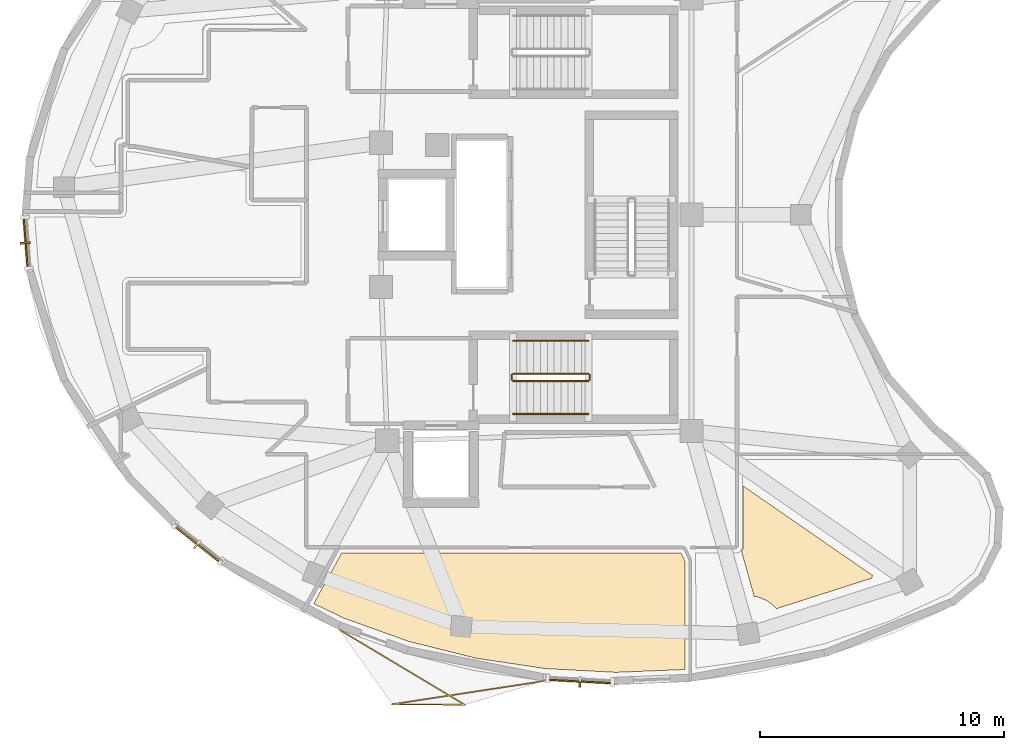
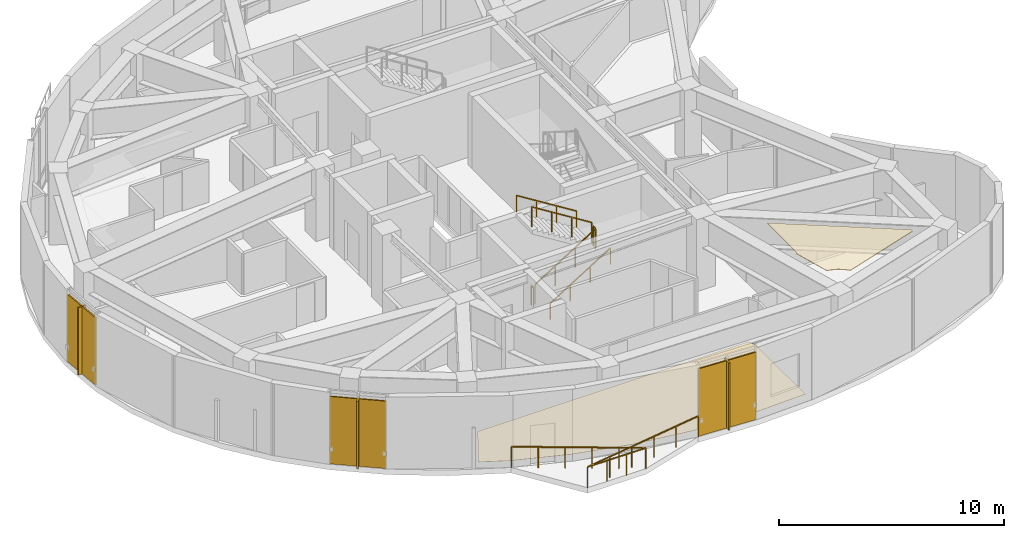
# One storey, part 10 of 12: 7 railings, 6 shading devices, 2 coverings.
"""IFC4 building model written with IfcOpenShell, lengths in metres."""

from ifc_helpers import new_model, si_unit, direction, frame, origin, origin_2d, place, context, subcontext, project, spatial, polyline, rectangle, outline, extrude, material, layer, layer_set, type_object, element, save


model = new_model("IFC4")

# Units and contexts
model_context = context("Model", 3, precision=1e-05, world=origin(), true_north=direction((0.0, 1.0)))
body_context = subcontext(model_context, "Body", "Model", "MODEL_VIEW")
ifc_project = project(units=[si_unit("LENGTHUNIT", "METRE"), si_unit("AREAUNIT", "SQUARE_METRE"), si_unit("VOLUMEUNIT", "CUBIC_METRE"), si_unit("PLANEANGLEUNIT", "RADIAN"), si_unit("MASSUNIT", "GRAM", prefix="KILO")], contexts=[model_context])

# Site, building, storey
site_placement = place(None, origin())
site = spatial("IfcSite", under=ifc_project, at=site_placement, CompositionType="ELEMENT")
building_placement = place(site_placement, origin())
building = spatial("IfcBuilding", under=site, at=building_placement, Name="Korentha Bioscience Tower", CompositionType="ELEMENT")
storey_placement = place(building_placement, frame((0.0, 0.0, 297.60009765625)))
storey = spatial("IfcBuildingStorey", under=building, at=storey_placement, Name="L68", CompositionType="ELEMENT", Elevation=297.60009765625)

# Railings
ifc_material_1 = material(Name="Stainless Steel 304", Category="steel")
railing_type_1 = type_object("IfcRailingType", Name="Brushed Stainless Stair Handrail 900", PredefinedType="HANDRAIL", material=ifc_material_1)
railing_1_placement = place(storey_placement, frame((30.25, 18.85009765625, 0.1748046875)))
element("IfcRailing", 1, at=railing_1_placement, inside=storey, type_object=railing_type_1, Name="L68 ST-2 stair handrail 1", PredefinedType="HANDRAIL", context=body_context, shape_type="SweptSolid", body=[
    extrude(rectangle(XDim=0.048095703125, YDim=0.048095703125, at=origin_2d()), frame((0.0, 0.0, 0.8759765625), z_axis=(0.847998304005, 0.0, 0.529998940003), x_axis=(0.0, 1.0, 0.0)), (0.0, 0.0, 1.0), 3.632080078125),
    extrude(rectangle(XDim=0.0419921875, YDim=0.0419921875, at=origin_2d()), origin(), (0.0, 0.0, 1.0), 0.851806640625),
    extrude(rectangle(XDim=0.0419921875, YDim=0.0419921875, at=origin_2d()), frame((1.026611328125, 0.0, 0.6416015625)), (0.0, 0.0, 1.0), 0.851806640625),
    extrude(rectangle(XDim=0.0419921875, YDim=0.0419921875, at=origin_2d()), frame((2.053466796875, 0.0, 1.283447265625)), (0.0, 0.0, 1.0), 0.851806640625),
    extrude(rectangle(XDim=0.0419921875, YDim=0.0419921875, at=origin_2d()), frame((3.080078125, 0.0, 1.925048828125)), (0.0, 0.0, 1.0), 0.851806640625),
])
railing_2_placement = place(storey_placement, frame((33.330078125, 21.85009765625, 2.27490234375)))
element("IfcRailing", 2, at=railing_2_placement, inside=storey, type_object=railing_type_1, Name="L68 ST-2 stair handrail 2", PredefinedType="HANDRAIL", context=body_context, shape_type="SweptSolid", body=[
    extrude(rectangle(XDim=0.048095703125, YDim=0.048095703125, at=origin_2d()), frame((0.0, 0.0, 0.8759765625), z_axis=(-0.847998304005, 0.0, 0.529998940003), x_axis=(0.0, -1.0, 0.0)), (0.0, 0.0, 1.0), 3.632080078125),
    extrude(rectangle(XDim=0.0419921875, YDim=0.0419921875, at=origin_2d()), origin(), (0.0, 0.0, 1.0), 0.851806640625),
    extrude(rectangle(XDim=0.0419921875, YDim=0.0419921875, at=origin_2d()), frame((-1.026611328125, 0.0, 0.6416015625)), (0.0, 0.0, 1.0), 0.851806640625),
    extrude(rectangle(XDim=0.0419921875, YDim=0.0419921875, at=origin_2d()), frame((-2.053466796875, 0.0, 1.283447265625)), (0.0, 0.0, 1.0), 0.851806640625),
    extrude(rectangle(XDim=0.0419921875, YDim=0.0419921875, at=origin_2d()), frame((-3.080078125, 0.0, 1.925048828125)), (0.0, 0.0, 1.0), 0.851806640625),
])
ifc_material_2 = material(Name="Laminated Tempered Safety Glass", Category="glass")
railing_type_2 = type_object("IfcRailingType", Name="Laminated Glass Balcony Guardrail 1150", PredefinedType="BALUSTRADE", material=ifc_material_2)
railing_3_placement = place(storey_placement, frame((23.1484375, 10.017333984375, 0.0)))
element("IfcRailing", 3, at=railing_3_placement, inside=storey, type_object=railing_type_2, Name="L68 Balcony Guardrail 03", PredefinedType="BALUSTRADE", context=body_context, shape_type="SweptSolid", body=[
    extrude(rectangle(XDim=0.048095703125, YDim=0.048095703125, at=origin_2d()), frame((0.0, 0.0, 1.1259765625), z_axis=(0.858112333343, -0.513461997975, 0.0), x_axis=(0.513461997975, 0.858112333343, 0.0)), (0.0, 0.0, 1.0), 5.975830078125),
    extrude(rectangle(XDim=0.048095703125, YDim=0.048095703125, at=origin_2d()), frame((5.1279296875, -3.068359375, 1.1259765625), z_axis=(-0.99997208669, 0.007471669258, 0.0), x_axis=(-0.007471669258, -0.99997208669, 0.0)), (0.0, 0.0, 1.0), 2.973388671875),
    extrude(rectangle(XDim=0.048095703125, YDim=0.048095703125, at=origin_2d()), frame((2.154541015625, -3.046142578125, 1.1259765625), z_axis=(0.988469343326, 0.151421125691, 0.0), x_axis=(-0.151421125691, 0.988469343326, 0.0)), (0.0, 0.0, 1.0), 6.2880859375),
    extrude(rectangle(XDim=0.0419921875, YDim=0.0419921875, at=origin_2d()), origin(), (0.0, 0.0, 1.0), 1.101806640625),
    extrude(rectangle(XDim=0.0419921875, YDim=0.0419921875, at=origin_2d()), frame((1.025634765625, -0.61376953125, 0.0)), (0.0, 0.0, 1.0), 1.101806640625),
    extrude(rectangle(XDim=0.0419921875, YDim=0.0419921875, at=origin_2d()), frame((2.05126953125, -1.227294921875, 0.0)), (0.0, 0.0, 1.0), 1.101806640625),
    extrude(rectangle(XDim=0.0419921875, YDim=0.0419921875, at=origin_2d()), frame((3.07666015625, -1.841064453125, 0.0)), (0.0, 0.0, 1.0), 1.101806640625),
    extrude(rectangle(XDim=0.0419921875, YDim=0.0419921875, at=origin_2d()), frame((4.102294921875, -2.45458984375, 0.0)), (0.0, 0.0, 1.0), 1.101806640625),
    extrude(rectangle(XDim=0.0419921875, YDim=0.0419921875, at=origin_2d()), frame((5.1279296875, -3.068359375, 0.0)), (0.0, 0.0, 1.0), 1.101806640625),
    extrude(rectangle(XDim=0.0419921875, YDim=0.0419921875, at=origin_2d()), frame((4.13671875, -3.06103515625, 0.0)), (0.0, 0.0, 1.0), 1.101806640625),
    extrude(rectangle(XDim=0.0419921875, YDim=0.0419921875, at=origin_2d()), frame((3.145751953125, -3.053466796875, 0.0)), (0.0, 0.0, 1.0), 1.101806640625),
    extrude(rectangle(XDim=0.0419921875, YDim=0.0419921875, at=origin_2d()), frame((2.154541015625, -3.046142578125, 0.0)), (0.0, 0.0, 1.0), 1.101806640625),
    extrude(rectangle(XDim=0.0419921875, YDim=0.0419921875, at=origin_2d()), frame((3.397705078125, -2.855712890625, 0.0)), (0.0, 0.0, 1.0), 1.101806640625),
    extrude(rectangle(XDim=0.0419921875, YDim=0.0419921875, at=origin_2d()), frame((4.640869140625, -2.665283203125, 0.0)), (0.0, 0.0, 1.0), 1.101806640625),
    extrude(rectangle(XDim=0.0419921875, YDim=0.0419921875, at=origin_2d()), frame((5.8837890625, -2.474853515625, 0.0)), (0.0, 0.0, 1.0), 1.101806640625),
    extrude(rectangle(XDim=0.0419921875, YDim=0.0419921875, at=origin_2d()), frame((7.126953125, -2.284423828125, 0.0)), (0.0, 0.0, 1.0), 1.101806640625),
    extrude(rectangle(XDim=0.0419921875, YDim=0.0419921875, at=origin_2d()), frame((8.3701171875, -2.093994140625, 0.0)), (0.0, 0.0, 1.0), 1.101806640625),
])

# Covering
ifc_material_3 = material(Name="Antimicrobial Mineral Fibre Board", Category="gypsum")
ifc_layer_1 = layer(ifc_material_3, 0.034912109375, Name="Antimicrobial Mineral Fibre Board")
ifc_layer_set_1 = layer_set([ifc_layer_1], Name="Antimicrobial Mineral Fibre Board (CL-MF35)")
covering_type_1 = type_object("IfcCoveringType", Name="Mineral-Fibre Cleanroom Suspended Ceiling 35", PredefinedType="CEILING", material=ifc_layer_set_1)
covering_1_placement = place(storey_placement, frame((0.0, 0.0, 3.864990234375)))
element("IfcCovering", 4, at=covering_1_placement, inside=storey, type_object=covering_type_1, Name="L68 Principal Investigator Office 05 Acoustic Ceiling", PredefinedType="CEILING", context=body_context, shape_type="SweptSolid", body=[
    extrude(outline(polyline([(39.596435546875, 13.22998046875), (39.64501953125, 13.31298828125), (39.659912109375, 13.39990234375), (39.659912109375, 15.90673828125), (44.951171875, 12.247802734375), (44.9345703125, 12.134765625), (41.03125, 10.885009765625), (40.8525390625, 11.06005859375), (40.599853515625, 11.22900390625), (40.319091796875, 11.34521484375), (40.111083984375, 11.39111328125), (39.596435546875, 13.22998046875)])), origin(), (0.0, 0.0, 1.0), 0.034912109375),
])

# Railings
ifc_material_4 = material(Name="Painted Steel S275", Category="steel")
railing_type_3 = type_object("IfcRailingType", Name="Painted Steel Stair Well Guardrail 1100", PredefinedType="GUARDRAIL", material=ifc_material_4)
railing_4_placement = place(storey_placement, frame((30.25, 20.199951171875, 0.1748046875)))
element("IfcRailing", 5, at=railing_4_placement, inside=storey, type_object=railing_type_3, Name="L68 ST-2 stair guard 1", PredefinedType="GUARDRAIL", context=body_context, shape_type="SweptSolid", body=[
    extrude(rectangle(XDim=0.048095703125, YDim=0.048095703125, at=origin_2d()), frame((0.0, 0.0, 1.076171875), z_axis=(0.847998304005, 0.0, 0.529998940003), x_axis=(0.0, 1.0, 0.0)), (0.0, 0.0, 1.0), 3.632080078125),
    extrude(rectangle(XDim=0.0419921875, YDim=0.0419921875, at=origin_2d()), origin(), (0.0, 0.0, 1.0), 1.052001953125),
    extrude(rectangle(XDim=0.0419921875, YDim=0.0419921875, at=origin_2d()), frame((1.026611328125, 0.0, 0.6416015625)), (0.0, 0.0, 1.0), 1.052001953125),
    extrude(rectangle(XDim=0.0419921875, YDim=0.0419921875, at=origin_2d()), frame((2.053466796875, 0.0, 1.283447265625)), (0.0, 0.0, 1.0), 1.052001953125),
    extrude(rectangle(XDim=0.0419921875, YDim=0.0419921875, at=origin_2d()), frame((3.080078125, 0.0, 1.925048828125)), (0.0, 0.0, 1.0), 1.052001953125),
])
railing_5_placement = place(storey_placement, frame((33.3798828125, 20.25, 2.099853515625)))
element("IfcRailing", 6, at=railing_5_placement, inside=storey, type_object=railing_type_3, Name="L68 ST-2 stair guard 2", PredefinedType="GUARDRAIL", context=body_context, shape_type="SweptSolid", body=[
    extrude(rectangle(XDim=0.048095703125, YDim=0.048095703125, at=origin_2d()), frame((0.0, 0.0, 1.076171875), z_axis=(0.0, 1.0, 0.0), x_axis=(-1.0, 0.0, 0.0)), (0.0, 0.0, 1.0), 0.199951171875),
    extrude(rectangle(XDim=0.0419921875, YDim=0.0419921875, at=origin_2d()), origin(), (0.0, 0.0, 1.0), 1.052001953125),
    extrude(rectangle(XDim=0.0419921875, YDim=0.0419921875, at=origin_2d()), frame((0.0, 0.199951171875, 0.0)), (0.0, 0.0, 1.0), 1.052001953125),
])
railing_6_placement = place(storey_placement, frame((33.330078125, 20.5, 2.27490234375)))
element("IfcRailing", 7, at=railing_6_placement, inside=storey, type_object=railing_type_3, Name="L68 ST-2 stair guard 3", PredefinedType="GUARDRAIL", context=body_context, shape_type="SweptSolid", body=[
    extrude(rectangle(XDim=0.048095703125, YDim=0.048095703125, at=origin_2d()), frame((0.0, 0.0, 1.076171875), z_axis=(-0.847998304005, 0.0, 0.529998940003), x_axis=(0.0, -1.0, 0.0)), (0.0, 0.0, 1.0), 3.632080078125),
    extrude(rectangle(XDim=0.0419921875, YDim=0.0419921875, at=origin_2d()), origin(), (0.0, 0.0, 1.0), 1.052001953125),
    extrude(rectangle(XDim=0.0419921875, YDim=0.0419921875, at=origin_2d()), frame((-1.026611328125, 0.0, 0.6416015625)), (0.0, 0.0, 1.0), 1.052001953125),
    extrude(rectangle(XDim=0.0419921875, YDim=0.0419921875, at=origin_2d()), frame((-2.053466796875, 0.0, 1.283447265625)), (0.0, 0.0, 1.0), 1.052001953125),
    extrude(rectangle(XDim=0.0419921875, YDim=0.0419921875, at=origin_2d()), frame((-3.080078125, 0.0, 1.925048828125)), (0.0, 0.0, 1.0), 1.052001953125),
])
railing_7_placement = place(storey_placement, frame((30.199951171875, 20.25, 0.0)))
element("IfcRailing", 8, at=railing_7_placement, inside=storey, type_object=railing_type_3, Name="L68 ST-2 stair guard 4", PredefinedType="GUARDRAIL", context=body_context, shape_type="SweptSolid", body=[
    extrude(rectangle(XDim=0.048095703125, YDim=0.048095703125, at=origin_2d()), frame((0.0, 0.0, 1.076171875), z_axis=(0.0, 1.0, 0.0), x_axis=(-1.0, 0.0, 0.0)), (0.0, 0.0, 1.0), 0.199951171875),
    extrude(rectangle(XDim=0.0419921875, YDim=0.0419921875, at=origin_2d()), origin(), (0.0, 0.0, 1.0), 1.052001953125),
    extrude(rectangle(XDim=0.0419921875, YDim=0.0419921875, at=origin_2d()), frame((0.0, 0.199951171875, 0.0)), (0.0, 0.0, 1.0), 1.052001953125),
])

# Shading devices
ifc_material_5 = material(Name="Perforated Stone-Ceramic Composite", Category="masonry")
ifc_layer_2 = layer(ifc_material_5, 0.06494140625, Name="Perforated Stone-Ceramic Composite")
ifc_layer_set_2 = layer_set([ifc_layer_2], Name="Perforated Stone-Ceramic Composite (CS-01)")
shading_device_type_1 = type_object("IfcShadingDeviceType", Name="Perforated Stone-Ceramic Solar Screen Panel 65", PredefinedType="USERDEFINED", material=ifc_layer_set_2)
shading_device_1_placement = place(storey_placement, frame((10.30615234375, 25.85107421875, 0.0), z_axis=(0.0, 0.0, 1.0), x_axis=(0.076447323916, -0.997073621487, 0.0)))
element("IfcShadingDevice", 9, at=shading_device_1_placement, inside=storey, type_object=shading_device_type_1, Name="CW-L68-19 Perforated Stone-Ceramic Solar Screen", ObjectType="SCREEN", PredefinedType="USERDEFINED", context=body_context, shape_type="SweptSolid", body=[
    extrude(rectangle(XDim=2.2138671875, YDim=0.06494140625, at=origin_2d()), origin(), (0.0, 0.0, 1.0), 3.64990234375),
])
shading_device_2_placement = place(storey_placement, frame((17.331298828125, 13.523681640625, 0.0), z_axis=(0.0, 0.0, 1.0), x_axis=(0.78407560827, -0.620665320858, 0.0)))
element("IfcShadingDevice", 10, at=shading_device_2_placement, inside=storey, type_object=shading_device_type_1, Name="CW-L68-25 Perforated Stone-Ceramic Solar Screen", ObjectType="SCREEN", PredefinedType="USERDEFINED", context=body_context, shape_type="SweptSolid", body=[
    extrude(rectangle(XDim=2.543212890625, YDim=0.06494140625, at=origin_2d()), origin(), (0.0, 0.0, 1.0), 3.64990234375),
])
shading_device_3_placement = place(storey_placement, frame((32.989501953125, 7.90478515625, 0.0), z_axis=(0.0, 0.0, 1.0), x_axis=(0.998579324855, -0.053285382345, 0.0)))
element("IfcShadingDevice", 11, at=shading_device_3_placement, inside=storey, type_object=shading_device_type_1, Name="CW-L68-31 Perforated Stone-Ceramic Solar Screen", ObjectType="SCREEN", PredefinedType="USERDEFINED", context=body_context, shape_type="SweptSolid", body=[
    extrude(rectangle(XDim=2.839599609375, YDim=0.06494140625, at=origin_2d()), origin(), (0.0, 0.0, 1.0), 3.64990234375),
])

# Covering
ifc_material_6 = material(Name="Chemical-Resistant Epoxy Resin", Category="polymer")
ifc_layer_3 = layer(ifc_material_6, 0.011962890625, Name="Chemical-Resistant Epoxy Resin")
ifc_layer_set_3 = layer_set([ifc_layer_3], Name="Chemical-Resistant Epoxy Resin (FL-EPX)")
covering_type_2 = type_object("IfcCoveringType", Name="Seamless Epoxy Laboratory Flooring 12", PredefinedType="FLOORING", material=ifc_layer_set_3)
covering_2_placement = place(storey_placement, origin())
element("IfcCovering", 12, at=covering_2_placement, inside=storey, type_object=covering_type_2, Name="L68 Principal Investigator Office 03 Floor Finish", PredefinedType="FLOORING", context=body_context, shape_type="SweptSolid", body=[
    extrude(outline(polyline([(31.570068359375, 8.431396484375), (28.72802734375, 8.856201171875), (25.97314453125, 9.54541015625), (23.345703125, 10.488525390625), (22.09326171875, 11.090087890625), (23.23876953125, 13.165283203125), (37.114013671875, 13.169921875), (37.278076171875, 12.83349609375), (37.278076171875, 8.393310546875), (34.457275390625, 8.277099609375), (31.570068359375, 8.431396484375)])), origin(), (0.0, 0.0, 1.0), 0.011962890625),
])

# Shading devices
ifc_material_7 = material(Name="Honed Travertine Limestone", Category="masonry")
ifc_layer_4 = layer(ifc_material_7, 0.080078125, Name="Honed Travertine Limestone")
ifc_layer_set_4 = layer_set([ifc_layer_4], Name="Honed Travertine Limestone (CS-02)")
shading_device_type_2 = type_object("IfcShadingDeviceType", Name="Vertical Honed Limestone Sunshade Fin 80x420", PredefinedType="USERDEFINED", material=ifc_layer_set_4)
for number, where, z_axis, x_axis, name in (
    (13, (10.286376953125, 25.849609375, 0.0), (0.0, 0.0, 1.0), (0.076447323916, -0.997073621487, 0.0), "CW-L68-19 Limestone Sunshade Fin"),
    (14, (17.319091796875, 13.508056640625, 0.0), (0.0, 0.0, 1.0), (0.78407560827, -0.620665320858, 0.0), "CW-L68-25 Limestone Sunshade Fin"),
    (15, (32.988525390625, 7.885009765625, 0.0), (0.0, 0.0, 1.0), (0.998579324855, -0.053285382345, 0.0), "CW-L68-31 Limestone Sunshade Fin"),
):
    element("IfcShadingDevice", number, at=place(storey_placement, frame(where, z_axis=z_axis, x_axis=x_axis)), inside=storey, type_object=shading_device_type_2, Name=name, ObjectType="SCREEN", PredefinedType="USERDEFINED", context=body_context, shape_type="SweptSolid", body=[
        extrude(rectangle(XDim=0.080078125, YDim=0.419921875, at=origin_2d()), origin(), (0.0, 0.0, 1.0), 3.64990234375),
    ])

save(model, "model.ifc")
